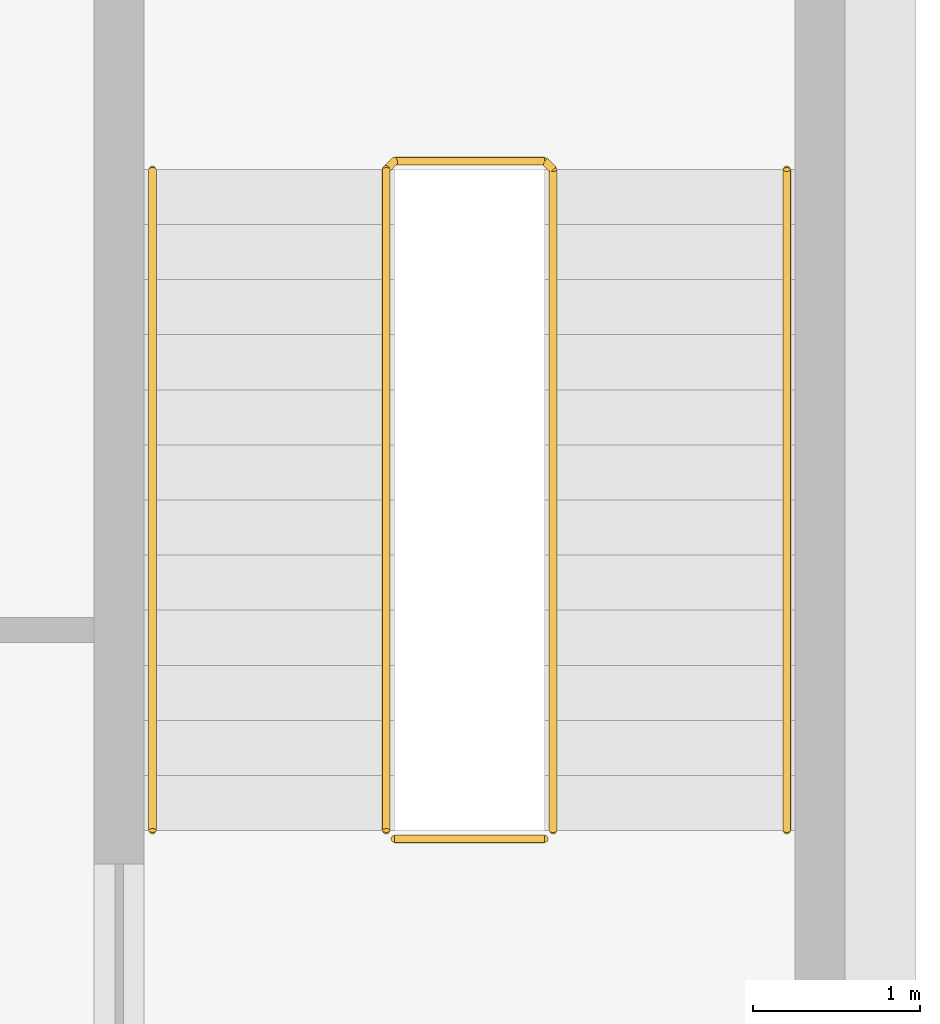
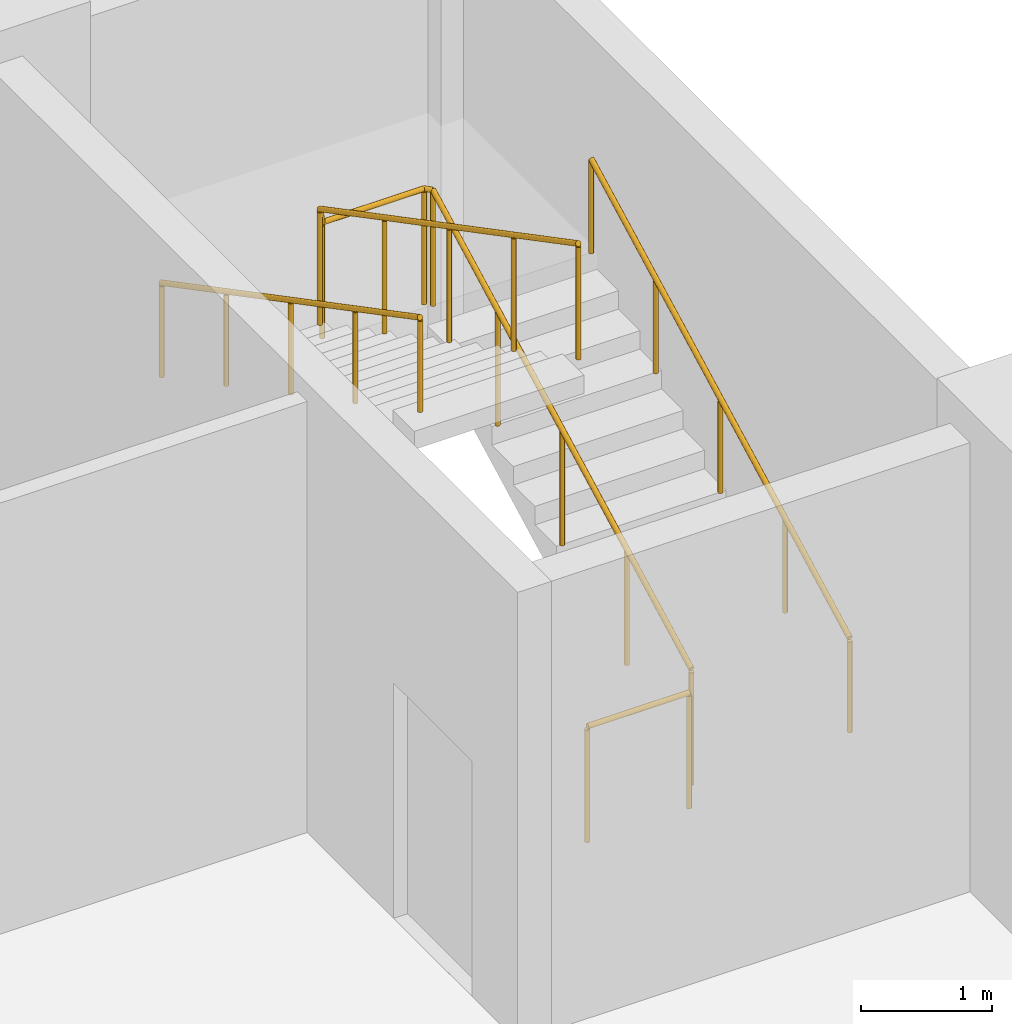
# One storey, part 18 of 18: 4 railings.
"""IFC4 building model written with IfcOpenShell, lengths in metres."""

from ifc_helpers import new_model, si_unit, direction, frame, origin, origin_2d, place, context, subcontext, project, spatial, circle, extrude, material, type_object, element, save


model = new_model("IFC4")

# Units and contexts
model_context = context("Model", 3, precision=1e-05, world=origin(), true_north=direction((0.0, 1.0)))
body_context = subcontext(model_context, "Body", "Model", "MODEL_VIEW")
ifc_project = project(units=[si_unit("LENGTHUNIT", "METRE"), si_unit("AREAUNIT", "SQUARE_METRE"), si_unit("VOLUMEUNIT", "CUBIC_METRE"), si_unit("PLANEANGLEUNIT", "RADIAN"), si_unit("MASSUNIT", "GRAM", prefix="KILO")], contexts=[model_context])

# Site, building, storey
site_placement = place(None, origin())
site = spatial("IfcSite", under=ifc_project, at=site_placement, CompositionType="ELEMENT")
building_placement = place(site_placement, origin())
building = spatial("IfcBuilding", under=site, at=building_placement, Name="Brondeck Convention Tower", CompositionType="ELEMENT")
storey_placement = place(building_placement, frame((0.0, 0.0, 27.5)))
storey = spatial("IfcBuildingStorey", under=building, at=storey_placement, Name="L04", CompositionType="ELEMENT", Elevation=27.5)

# Railings
ifc_material = material(Name="Steel S355", Category="steel")
railing_type_1 = type_object("IfcRailingType", Name="Stair guard 1100", PredefinedType="GUARDRAIL", material=ifc_material)
railing_1_placement = place(storey_placement, frame((70.050048828125, 51.800048828125, 0.173095703125)))
element("IfcRailing", 1, at=railing_1_placement, inside=storey, type_object=railing_type_1, Name="L04 PS-1 stair guard 1", PredefinedType="GUARDRAIL", context=body_context, shape_type="SweptSolid", body=[
    extrude(circle(Radius=0.02392578125, at=origin_2d()), frame((0.0, 0.0, 1.076171875), z_axis=(0.0, 0.885588829464, 0.464470047611), x_axis=(-1.0, 0.0, 0.0)), (0.0, 0.0, 1.0), 4.471435546875),
    extrude(circle(Radius=0.02392578125, at=origin_2d()), frame((0.0, 3.9599609375, 3.15283203125), z_axis=(-0.707106781187, 0.707106781187, 0.0), x_axis=(-0.707106781187, -0.707106781187, 0.0)), (0.0, 0.0, 1.0), 0.07080078125),
    extrude(circle(Radius=0.02392578125, at=origin_2d()), frame((-0.050048828125, 4.010009765625, 3.15283203125), z_axis=(-1.0, 0.0, 0.0), x_axis=(0.0, -1.0, 0.0)), (0.0, 0.0, 1.0), 0.89990234375),
    extrude(circle(Radius=0.02392578125, at=origin_2d()), frame((-0.949951171875, 4.010009765625, 3.15283203125), z_axis=(-0.267629722418, -0.267629722418, 0.925607186314), x_axis=(0.707106781187, -0.707106781187, 0.0)), (0.0, 0.0, 1.0), 0.18701171875),
    extrude(circle(Radius=0.02392578125, at=origin_2d()), frame((-1.0, 3.9599609375, 3.326171875), z_axis=(0.0, -0.885588829464, 0.464470047611), x_axis=(1.0, 0.0, 0.0)), (0.0, 0.0, 1.0), 4.471435546875),
    extrude(circle(Radius=0.02099609375, at=origin_2d()), origin(), (0.0, 0.0, 1.0), 1.052001953125),
    extrude(circle(Radius=0.02099609375, at=origin_2d()), frame((0.0, 0.989990234375, 0.519287109375)), (0.0, 0.0, 1.0), 1.052001953125),
    extrude(circle(Radius=0.02099609375, at=origin_2d()), frame((0.0, 1.97998046875, 1.03857421875)), (0.0, 0.0, 1.0), 1.052001953125),
    extrude(circle(Radius=0.02099609375, at=origin_2d()), frame((0.0, 2.969970703125, 1.5576171875)), (0.0, 0.0, 1.0), 1.052001953125),
    extrude(circle(Radius=0.02099609375, at=origin_2d()), frame((0.0, 3.9599609375, 2.076904296875)), (0.0, 0.0, 1.0), 1.052001953125),
    extrude(circle(Radius=0.02099609375, at=origin_2d()), frame((-0.050048828125, 4.010009765625, 2.076904296875)), (0.0, 0.0, 1.0), 1.052001953125),
    extrude(circle(Radius=0.02099609375, at=origin_2d()), frame((-0.949951171875, 4.010009765625, 2.076904296875)), (0.0, 0.0, 1.0), 1.052001953125),
    extrude(circle(Radius=0.02099609375, at=origin_2d()), frame((-1.0, 3.9599609375, 2.25)), (0.0, 0.0, 1.0), 1.052001953125),
    extrude(circle(Radius=0.02099609375, at=origin_2d()), frame((-1.0, 2.969970703125, 2.769287109375)), (0.0, 0.0, 1.0), 1.052001953125),
    extrude(circle(Radius=0.02099609375, at=origin_2d()), frame((-1.0, 1.97998046875, 3.28857421875)), (0.0, 0.0, 1.0), 1.052001953125),
    extrude(circle(Radius=0.02099609375, at=origin_2d()), frame((-1.0, 0.989990234375, 3.8076171875)), (0.0, 0.0, 1.0), 1.052001953125),
    extrude(circle(Radius=0.02099609375, at=origin_2d()), frame((-1.0, 0.0, 4.326904296875)), (0.0, 0.0, 1.0), 1.052001953125),
])
railing_2_placement = place(storey_placement, frame((70.0, 51.75, 0.0)))
element("IfcRailing", 2, at=railing_2_placement, inside=storey, type_object=railing_type_1, Name="L04 PS-1 stair guard 2", PredefinedType="GUARDRAIL", context=body_context, shape_type="SweptSolid", body=[
    extrude(circle(Radius=0.02392578125, at=origin_2d()), frame((0.0, 0.0, 1.076171875), z_axis=(-1.0, 0.0, 0.0), x_axis=(0.0, -1.0, 0.0)), (0.0, 0.0, 1.0), 0.89990234375),
    extrude(circle(Radius=0.02099609375, at=origin_2d()), origin(), (0.0, 0.0, 1.0), 1.052001953125),
    extrude(circle(Radius=0.02099609375, at=origin_2d()), frame((-0.89990234375, 0.0, 0.0)), (0.0, 0.0, 1.0), 1.052001953125),
])
railing_type_2 = type_object("IfcRailingType", Name="Stair handrail", PredefinedType="HANDRAIL", material=ifc_material)
railing_3_placement = place(storey_placement, frame((71.449951171875, 51.800048828125, 0.173095703125)))
element("IfcRailing", 3, at=railing_3_placement, inside=storey, type_object=railing_type_2, Name="L04 PS-1 stair handrail 1", PredefinedType="HANDRAIL", context=body_context, shape_type="SweptSolid", body=[
    extrude(circle(Radius=0.02392578125, at=origin_2d()), frame((0.0, 0.0, 0.8759765625), z_axis=(0.0, 0.885588829464, 0.464470047611), x_axis=(-1.0, 0.0, 0.0)), (0.0, 0.0, 1.0), 4.471435546875),
    extrude(circle(Radius=0.02099609375, at=origin_2d()), origin(), (0.0, 0.0, 1.0), 0.851806640625),
    extrude(circle(Radius=0.02099609375, at=origin_2d()), frame((0.0, 0.989990234375, 0.519287109375)), (0.0, 0.0, 1.0), 0.851806640625),
    extrude(circle(Radius=0.02099609375, at=origin_2d()), frame((0.0, 1.97998046875, 1.03857421875)), (0.0, 0.0, 1.0), 0.851806640625),
    extrude(circle(Radius=0.02099609375, at=origin_2d()), frame((0.0, 2.969970703125, 1.5576171875)), (0.0, 0.0, 1.0), 0.851806640625),
    extrude(circle(Radius=0.02099609375, at=origin_2d()), frame((0.0, 3.9599609375, 2.076904296875)), (0.0, 0.0, 1.0), 0.851806640625),
])
railing_4_placement = place(storey_placement, frame((67.64990234375, 55.760009765625, 2.423095703125)))
element("IfcRailing", 4, at=railing_4_placement, inside=storey, type_object=railing_type_2, Name="L04 PS-1 stair handrail 2", PredefinedType="HANDRAIL", context=body_context, shape_type="SweptSolid", body=[
    extrude(circle(Radius=0.02392578125, at=origin_2d()), frame((0.0, 0.0, 0.8759765625), z_axis=(0.0, -0.885588829464, 0.464470047611), x_axis=(1.0, 0.0, 0.0)), (0.0, 0.0, 1.0), 4.471435546875),
    extrude(circle(Radius=0.02099609375, at=origin_2d()), origin(), (0.0, 0.0, 1.0), 0.851806640625),
    extrude(circle(Radius=0.02099609375, at=origin_2d()), frame((0.0, -0.989990234375, 0.519287109375)), (0.0, 0.0, 1.0), 0.851806640625),
    extrude(circle(Radius=0.02099609375, at=origin_2d()), frame((0.0, -1.97998046875, 1.03857421875)), (0.0, 0.0, 1.0), 0.851806640625),
    extrude(circle(Radius=0.02099609375, at=origin_2d()), frame((0.0, -2.969970703125, 1.5576171875)), (0.0, 0.0, 1.0), 0.851806640625),
    extrude(circle(Radius=0.02099609375, at=origin_2d()), frame((0.0, -3.9599609375, 2.076904296875)), (0.0, 0.0, 1.0), 0.851806640625),
])

save(model, "model.ifc")
